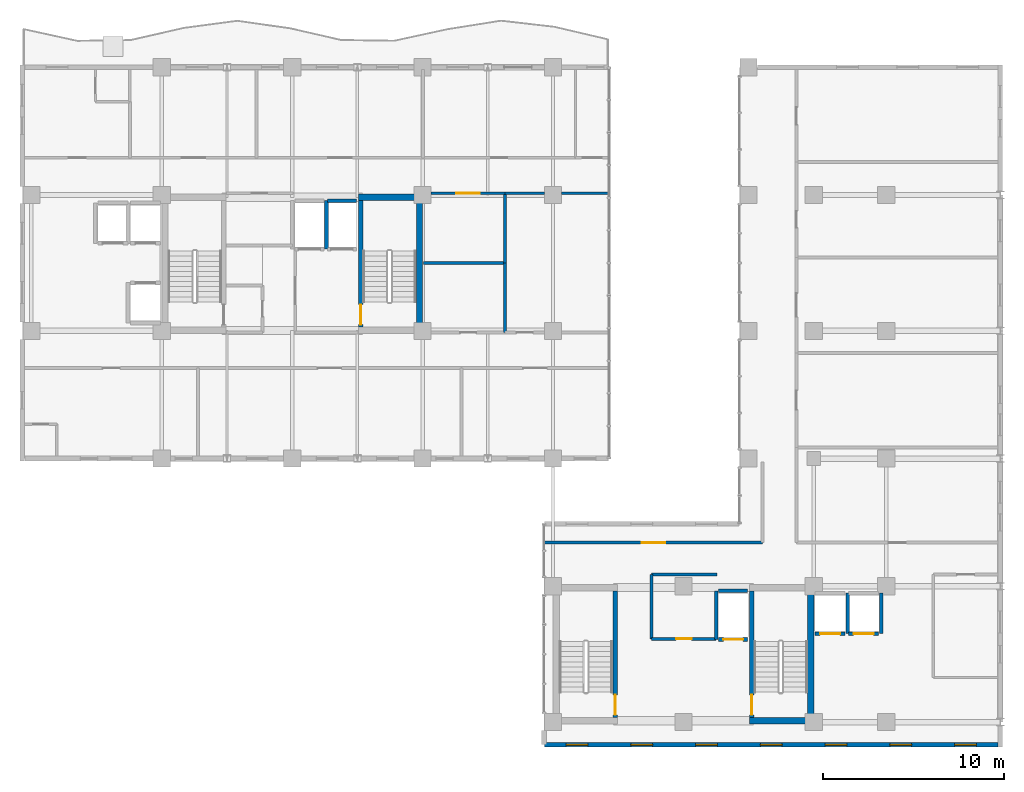
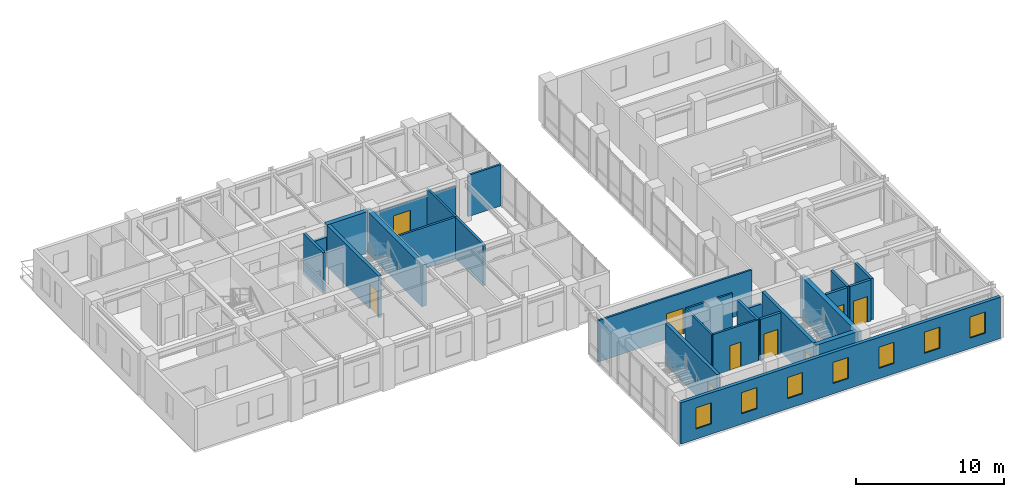
# One storey, part 18 of 24: 27 walls, 9 doors, 7 windows, 16 openings.
"""IFC4 building model written with IfcOpenShell, lengths in metres."""

from ifc_helpers import new_model, si_unit, direction, frame, frame_2d, origin, place, context, subcontext, project, spatial, rectangle, extrude, material, layer, layer_set, type_object, element, fill, save


model = new_model("IFC4")

# Units and contexts
model_context = context("Model", 3, precision=1e-05, world=origin(), true_north=direction((0.0, 1.0)))
body_context = subcontext(model_context, "Body", "Model", "MODEL_VIEW")
ifc_project = project(units=[si_unit("LENGTHUNIT", "METRE"), si_unit("AREAUNIT", "SQUARE_METRE"), si_unit("VOLUMEUNIT", "CUBIC_METRE"), si_unit("PLANEANGLEUNIT", "RADIAN"), si_unit("MASSUNIT", "GRAM", prefix="KILO")], contexts=[model_context])

# Site, building, storey
site_placement = place(None, origin())
site = spatial("IfcSite", under=ifc_project, at=site_placement, CompositionType="ELEMENT")
building_placement = place(site_placement, origin())
building = spatial("IfcBuilding", under=site, at=building_placement, Name="Kaliganga Portal Commons", CompositionType="ELEMENT")
storey_placement = place(building_placement, frame((0.0, 0.0, 238.800048828125)))
storey = spatial("IfcBuildingStorey", under=building, at=storey_placement, Name="L61", CompositionType="ELEMENT", Elevation=238.800048828125)

# Walls
ifc_material_1 = material(Name="Concrete C50/60", Category="concrete")
ifc_layer_1 = layer(ifc_material_1, 0.35009765625)
ifc_layer_set_1 = layer_set([ifc_layer_1], Name="Concrete C50/60")
wall_type_1 = type_object("IfcWallType", Name="WL-CORE-350", PredefinedType="SHEAR", material=ifc_layer_set_1)
wall_1_placement = place(storey_placement, frame((28.625, 28.5, 0.0), z_axis=(0.0, 0.0, 1.0), x_axis=(0.0, 1.0, 0.0)))
element("IfcWall", 1, at=wall_1_placement, inside=storey, type_object=wall_type_1, Name="Core A East Shear Wall L61", PredefinedType="SHEAR", context=body_context, shape_type="SweptSolid", body=[
    extrude(rectangle(XDim=7.699951171875, YDim=0.35009765625, at=frame_2d((3.85009765625, 0.0))), origin(), (0.0, 0.0, 1.0), 3.43994140625),
])
wall_2_placement = place(storey_placement, frame((25.25, 36.02490234375, 0.0), z_axis=(0.0, 0.0, 1.0), x_axis=(1.0, 0.0, 0.0)))
element("IfcWall", 2, at=wall_2_placement, inside=storey, type_object=wall_type_1, Name="Core A N-East Shear Wall L61", PredefinedType="SHEAR", context=body_context, shape_type="SweptSolid", body=[
    extrude(rectangle(XDim=3.199951171875, YDim=0.35009765625, at=frame_2d((1.60009765625, 0.0))), origin(), (0.0, 0.0, 1.0), 3.43994140625),
])
wall_3_placement = place(storey_placement, frame((50.22509765625, 6.949951171875, 0.0), z_axis=(0.0, 0.0, 1.0), x_axis=(0.0, 1.0, 0.0)))
element("IfcWall", 3, at=wall_3_placement, inside=storey, type_object=wall_type_1, Name="Core B East Shear Wall L61", PredefinedType="SHEAR", context=body_context, shape_type="SweptSolid", body=[
    extrude(rectangle(XDim=7.699951171875, YDim=0.35009765625, at=frame_2d((3.85009765625, 0.0))), origin(), (0.0, 0.0, 1.0), 3.43994140625),
])
wall_4_placement = place(storey_placement, frame((46.85009765625, 7.125, 0.0), z_axis=(0.0, 0.0, 1.0), x_axis=(1.0, 0.0, 0.0)))
element("IfcWall", 4, at=wall_4_placement, inside=storey, type_object=wall_type_1, Name="Core B S-East Shear Wall L61", PredefinedType="SHEAR", context=body_context, shape_type="SweptSolid", body=[
    extrude(rectangle(XDim=3.199951171875, YDim=0.35009765625, at=frame_2d((1.60009765625, 0.0))), origin(), (0.0, 0.0, 1.0), 3.43994140625),
])

# Wall, openings, windows
ifc_material_2 = material(Name="Insulated Aluminium-Clad Spandrel Assembly", Category="aluminium")
ifc_layer_2 = layer(ifc_material_2, 0.260009765625)
ifc_layer_set_2 = layer_set([ifc_layer_2], Name="Insulated Aluminium-Clad Spandrel Assembly")
wall_type_2 = type_object("IfcWallType", Name="WL-EXT-SPAND-260", PredefinedType="STANDARD", material=ifc_layer_set_2)
wall_5_placement = place(storey_placement, frame((60.56494140625, 5.800048828125, 0.0), z_axis=(0.0, 0.0, 1.0), x_axis=(-1.0, 0.0, 0.0)))
wall_5 = element("IfcWall", 5, at=wall_5_placement, inside=storey, type_object=wall_type_2, Name="Exterior Envelope Wall L61 P2-E00-S1", PredefinedType="STANDARD", context=body_context, shape_type="SweptSolid", body=[
    extrude(rectangle(XDim=25.02783203125, YDim=0.260009765625, at=frame_2d((12.513916015625, 0.0))), origin(), (0.0, 0.0, 1.0), 3.419921875),
])
opening_1_placement = place(wall_5_placement, frame((1.187744140625, 0.0, 0.85009765625)))
opening_1 = element("IfcOpeningElement", 6, at=opening_1_placement, cuts=wall_5, Name="Opening W-03", PredefinedType="OPENING", context=body_context, shape_type="SweptSolid", body=[
    extrude(rectangle(XDim=1.199951171875, YDim=1.75, at=frame_2d((0.60009765625, 0.875))), frame((0.0, 0.14013671875, 0.0), z_axis=(0.0, -1.0, 0.0), x_axis=(1.0, 0.0, 0.0)), (0.0, 0.0, 1.0), 0.280029296875),
])
opening_2_placement = place(wall_5_placement, frame((4.76318359375, 0.0, 0.85009765625)))
opening_2 = element("IfcOpeningElement", 7, at=opening_2_placement, cuts=wall_5, Name="Opening W-03", PredefinedType="OPENING", context=body_context, shape_type="SweptSolid", body=[
    extrude(rectangle(XDim=1.199951171875, YDim=1.75, at=frame_2d((0.60009765625, 0.875))), frame((0.0, 0.14013671875, 0.0), z_axis=(0.0, -1.0, 0.0), x_axis=(1.0, 0.0, 0.0)), (0.0, 0.0, 1.0), 0.280029296875),
])
opening_3_placement = place(wall_5_placement, frame((8.338623046875, 0.0, 0.85009765625)))
opening_3 = element("IfcOpeningElement", 8, at=opening_3_placement, cuts=wall_5, Name="Opening W-03", PredefinedType="OPENING", context=body_context, shape_type="SweptSolid", body=[
    extrude(rectangle(XDim=1.199951171875, YDim=1.75, at=frame_2d((0.60009765625, 0.875))), frame((0.0, 0.14013671875, 0.0), z_axis=(0.0, -1.0, 0.0), x_axis=(1.0, 0.0, 0.0)), (0.0, 0.0, 1.0), 0.280029296875),
])
opening_4_placement = place(wall_5_placement, frame((11.9140625, 0.0, 0.85009765625)))
opening_4 = element("IfcOpeningElement", 9, at=opening_4_placement, cuts=wall_5, Name="Opening W-03", PredefinedType="OPENING", context=body_context, shape_type="SweptSolid", body=[
    extrude(rectangle(XDim=1.199951171875, YDim=1.75, at=frame_2d((0.60009765625, 0.875))), frame((0.0, 0.14013671875, 0.0), z_axis=(0.0, -1.0, 0.0), x_axis=(1.0, 0.0, 0.0)), (0.0, 0.0, 1.0), 0.280029296875),
])
opening_5_placement = place(wall_5_placement, frame((15.489501953125, 0.0, 0.85009765625)))
opening_5 = element("IfcOpeningElement", 10, at=opening_5_placement, cuts=wall_5, Name="Opening W-03", PredefinedType="OPENING", context=body_context, shape_type="SweptSolid", body=[
    extrude(rectangle(XDim=1.199951171875, YDim=1.75, at=frame_2d((0.60009765625, 0.875))), frame((0.0, 0.14013671875, 0.0), z_axis=(0.0, -1.0, 0.0), x_axis=(1.0, 0.0, 0.0)), (0.0, 0.0, 1.0), 0.280029296875),
])
opening_6_placement = place(wall_5_placement, frame((19.06494140625, 0.0, 0.85009765625)))
opening_6 = element("IfcOpeningElement", 11, at=opening_6_placement, cuts=wall_5, Name="Opening W-03", PredefinedType="OPENING", context=body_context, shape_type="SweptSolid", body=[
    extrude(rectangle(XDim=1.199951171875, YDim=1.75, at=frame_2d((0.60009765625, 0.875))), frame((0.0, 0.14013671875, 0.0), z_axis=(0.0, -1.0, 0.0), x_axis=(1.0, 0.0, 0.0)), (0.0, 0.0, 1.0), 0.280029296875),
])
opening_7_placement = place(wall_5_placement, frame((22.640380859375, 0.0, 0.85009765625)))
opening_7 = element("IfcOpeningElement", 12, at=opening_7_placement, cuts=wall_5, Name="Opening W-03", PredefinedType="OPENING", context=body_context, shape_type="SweptSolid", body=[
    extrude(rectangle(XDim=1.199951171875, YDim=1.75, at=frame_2d((0.60009765625, 0.875))), frame((0.0, 0.14013671875, 0.0), z_axis=(0.0, -1.0, 0.0), x_axis=(1.0, 0.0, 0.0)), (0.0, 0.0, 1.0), 0.280029296875),
])
ifc_material_3 = material(Name="Thermally Broken Aluminium and Low-E Double Glazing", Category="aluminium")
window_type = type_object("IfcWindowType", Name="WIN-STD-1200", PartitioningType="SINGLE_PANEL", PredefinedType="WINDOW", material=ifc_material_3)
window_1_placement = place(opening_1_placement, origin())
window_1 = element("IfcWindow", 13, at=window_1_placement, inside=storey, type_object=window_type, Name="Facade Window L61-P2E00S1-00", OverallHeight=1.75, OverallWidth=1.199951171875, PartitioningType="SINGLE_PANEL", PredefinedType="WINDOW", context=body_context, shape_type="SweptSolid", body=[
    extrude(rectangle(XDim=1.199951171875, YDim=1.75, at=frame_2d((0.60009765625, 0.875))), frame((0.0, 0.030029296875, 0.0), z_axis=(0.0, -1.0, 0.0), x_axis=(1.0, 0.0, 0.0)), (0.0, 0.0, 1.0), 0.06005859375),
])
fill(opening_1, window_1)
window_2_placement = place(opening_2_placement, origin())
window_2 = element("IfcWindow", 14, at=window_2_placement, inside=storey, type_object=window_type, Name="Facade Window L61-P2E00S1-01", OverallHeight=1.75, OverallWidth=1.199951171875, PartitioningType="SINGLE_PANEL", PredefinedType="WINDOW", context=body_context, shape_type="SweptSolid", body=[
    extrude(rectangle(XDim=1.199951171875, YDim=1.75, at=frame_2d((0.60009765625, 0.875))), frame((0.0, 0.030029296875, 0.0), z_axis=(0.0, -1.0, 0.0), x_axis=(1.0, 0.0, 0.0)), (0.0, 0.0, 1.0), 0.06005859375),
])
fill(opening_2, window_2)
window_3_placement = place(opening_3_placement, origin())
window_3 = element("IfcWindow", 15, at=window_3_placement, inside=storey, type_object=window_type, Name="Facade Window L61-P2E00S1-02", OverallHeight=1.75, OverallWidth=1.199951171875, PartitioningType="SINGLE_PANEL", PredefinedType="WINDOW", context=body_context, shape_type="SweptSolid", body=[
    extrude(rectangle(XDim=1.199951171875, YDim=1.75, at=frame_2d((0.60009765625, 0.875))), frame((0.0, 0.030029296875, 0.0), z_axis=(0.0, -1.0, 0.0), x_axis=(1.0, 0.0, 0.0)), (0.0, 0.0, 1.0), 0.06005859375),
])
fill(opening_3, window_3)
window_4_placement = place(opening_4_placement, origin())
window_4 = element("IfcWindow", 16, at=window_4_placement, inside=storey, type_object=window_type, Name="Facade Window L61-P2E00S1-03", OverallHeight=1.75, OverallWidth=1.199951171875, PartitioningType="SINGLE_PANEL", PredefinedType="WINDOW", context=body_context, shape_type="SweptSolid", body=[
    extrude(rectangle(XDim=1.199951171875, YDim=1.75, at=frame_2d((0.60009765625, 0.875))), frame((0.0, 0.030029296875, 0.0), z_axis=(0.0, -1.0, 0.0), x_axis=(1.0, 0.0, 0.0)), (0.0, 0.0, 1.0), 0.06005859375),
])
fill(opening_4, window_4)
window_5_placement = place(opening_5_placement, origin())
window_5 = element("IfcWindow", 17, at=window_5_placement, inside=storey, type_object=window_type, Name="Facade Window L61-P2E00S1-04", OverallHeight=1.75, OverallWidth=1.199951171875, PartitioningType="SINGLE_PANEL", PredefinedType="WINDOW", context=body_context, shape_type="SweptSolid", body=[
    extrude(rectangle(XDim=1.199951171875, YDim=1.75, at=frame_2d((0.60009765625, 0.875))), frame((0.0, 0.030029296875, 0.0), z_axis=(0.0, -1.0, 0.0), x_axis=(1.0, 0.0, 0.0)), (0.0, 0.0, 1.0), 0.06005859375),
])
fill(opening_5, window_5)
window_6_placement = place(opening_6_placement, origin())
window_6 = element("IfcWindow", 18, at=window_6_placement, inside=storey, type_object=window_type, Name="Facade Window L61-P2E00S1-05", OverallHeight=1.75, OverallWidth=1.199951171875, PartitioningType="SINGLE_PANEL", PredefinedType="WINDOW", context=body_context, shape_type="SweptSolid", body=[
    extrude(rectangle(XDim=1.199951171875, YDim=1.75, at=frame_2d((0.60009765625, 0.875))), frame((0.0, 0.030029296875, 0.0), z_axis=(0.0, -1.0, 0.0), x_axis=(1.0, 0.0, 0.0)), (0.0, 0.0, 1.0), 0.06005859375),
])
fill(opening_6, window_6)
window_7_placement = place(opening_7_placement, origin())
window_7 = element("IfcWindow", 19, at=window_7_placement, inside=storey, type_object=window_type, Name="Facade Window L61-P2E00S1-06", OverallHeight=1.75, OverallWidth=1.199951171875, PartitioningType="SINGLE_PANEL", PredefinedType="WINDOW", context=body_context, shape_type="SweptSolid", body=[
    extrude(rectangle(XDim=1.199951171875, YDim=1.75, at=frame_2d((0.60009765625, 0.875))), frame((0.0, 0.030029296875, 0.0), z_axis=(0.0, -1.0, 0.0), x_axis=(1.0, 0.0, 0.0)), (0.0, 0.0, 1.0), 0.06005859375),
])
fill(opening_7, window_7)

# Wall, opening, door
ifc_material_4 = material(Name="Fire-Rated Gypsum Board on Steel Stud", Category="steel")
ifc_layer_3 = layer(ifc_material_4, 0.14990234375)
ifc_layer_set_3 = layer_set([ifc_layer_3], Name="Fire-Rated Gypsum Board on Steel Stud")
wall_type_3 = type_object("IfcWallType", Name="WL-PART-CORR-150", PredefinedType="PARTITIONING", material=ifc_layer_set_3)
wall_6_placement = place(storey_placement, frame((35.52001953125, 16.9599609375, 0.0), z_axis=(0.0, 0.0, 1.0), x_axis=(1.0, 0.0, 0.0)))
wall_6 = element("IfcWall", 20, at=wall_6_placement, inside=storey, type_object=wall_type_3, Name="Interior Partition L61-007", PredefinedType="PARTITIONING", context=body_context, shape_type="SweptSolid", body=[
    extrude(rectangle(XDim=12.0400390625, YDim=0.14990234375, at=frame_2d((6.02001953125, 0.0))), origin(), (0.0, 0.0, 1.0), 3.419921875),
])
opening_8_placement = place(wall_6_placement, frame((5.3701171875, 0.0, 0.0)))
opening_8 = element("IfcOpeningElement", 21, at=opening_8_placement, cuts=wall_6, Name="Opening RD-03", PredefinedType="OPENING", context=body_context, shape_type="SweptSolid", body=[
    extrude(rectangle(XDim=1.300048828125, YDim=2.1201171875, at=frame_2d((0.64990234375, 1.06005859375))), frame((0.0, 0.0849609375, 0.0), z_axis=(0.0, -1.0, 0.0), x_axis=(1.0, 0.0, 0.0)), (0.0, 0.0, 1.0), 0.169921875),
])
ifc_material_5 = material(Name="Glazed Timber Seminar Vision Door", Category="wood")
door_type_1 = type_object("IfcDoorType", Name="DR-STUDY-1300", OperationType="DOUBLE_DOOR_SINGLE_SWING", PredefinedType="DOOR", material=ifc_material_5)
door_1_placement = place(opening_8_placement, origin())
door_1 = element("IfcDoor", 22, at=door_1_placement, inside=storey, type_object=door_type_1, Name="Interior Door L61-BPW01", OperationType="DOUBLE_DOOR_SINGLE_SWING", OverallHeight=2.1201171875, OverallWidth=1.300048828125, PredefinedType="DOOR", context=body_context, shape_type="SweptSolid", body=[
    extrude(rectangle(XDim=1.300048828125, YDim=2.1201171875, at=frame_2d((0.64990234375, 1.06005859375))), frame((0.0, 0.02490234375, 0.0), z_axis=(0.0, -1.0, 0.0), x_axis=(1.0, 0.0, 0.0)), (0.0, 0.0, 1.0), 0.050048828125),
])
fill(opening_8, door_1)

# Walls
wall_7_placement = place(storey_placement, frame((33.360107421875, 36.239990234375, 0.0), z_axis=(0.0, 0.0, 1.0), x_axis=(1.0, 0.0, 0.0)))
element("IfcWall", 23, at=wall_7_placement, inside=storey, type_object=wall_type_3, Name="Interior Partition L61-017", PredefinedType="PARTITIONING", context=body_context, shape_type="SweptSolid", body=[
    extrude(rectangle(XDim=2.164794921875, YDim=0.14990234375, at=frame_2d((1.08251953125, 0.0))), origin(), (0.0, 0.0, 1.0), 2.869873046875),
])
wall_8_placement = place(storey_placement, frame((36.47509765625, 36.239990234375, 0.0), z_axis=(0.0, 0.0, 1.0), x_axis=(1.0, 0.0, 0.0)))
element("IfcWall", 24, at=wall_8_placement, inside=storey, type_object=wall_type_3, Name="Interior Partition L61-018", PredefinedType="PARTITIONING", context=body_context, shape_type="SweptSolid", body=[
    extrude(rectangle(XDim=2.60498046875, YDim=0.14990234375, at=frame_2d((1.302490234375, 0.0))), origin(), (0.0, 0.0, 1.0), 3.419921875),
])

# Wall, opening, door
wall_9_placement = place(storey_placement, frame((29.27490234375, 36.239990234375, 0.0), z_axis=(0.0, 0.0, 1.0), x_axis=(1.0, 0.0, 0.0)))
wall_9 = element("IfcWall", 25, at=wall_9_placement, inside=storey, type_object=wall_type_3, Name="Interior Partition L61-025", PredefinedType="PARTITIONING", context=body_context, shape_type="SweptSolid", body=[
    extrude(rectangle(XDim=4.085205078125, YDim=0.14990234375, at=frame_2d((2.04248046875, 0.0))), origin(), (0.0, 0.0, 1.0), 2.869873046875),
])
opening_9_placement = place(wall_9_placement, frame((1.392578125, 0.0, 0.0)))
opening_9 = element("IfcOpeningElement", 26, at=opening_9_placement, cuts=wall_9, Name="Opening RD-03", PredefinedType="OPENING", context=body_context, shape_type="SweptSolid", body=[
    extrude(rectangle(XDim=1.300048828125, YDim=2.1201171875, at=frame_2d((0.64990234375, 1.06005859375))), frame((0.0, 0.0849609375, 0.0), z_axis=(0.0, -1.0, 0.0), x_axis=(1.0, 0.0, 0.0)), (0.0, 0.0, 1.0), 0.169921875),
])
door_2_placement = place(opening_9_placement, origin())
door_2 = element("IfcDoor", 27, at=door_2_placement, inside=storey, type_object=door_type_1, Name="Interior Door L61-CSRV_A2", OperationType="DOUBLE_DOOR_SINGLE_SWING", OverallHeight=2.1201171875, OverallWidth=1.300048828125, PredefinedType="DOOR", context=body_context, shape_type="SweptSolid", body=[
    extrude(rectangle(XDim=1.300048828125, YDim=2.1201171875, at=frame_2d((0.64990234375, 1.06005859375))), frame((0.0, 0.02490234375, 0.0), z_axis=(0.0, -1.0, 0.0), x_axis=(1.0, 0.0, 0.0)), (0.0, 0.0, 1.0), 0.050048828125),
])
fill(opening_9, door_2)

wall_10_placement = place(storey_placement, frame((41.43994140625, 11.639892578125, 0.0), z_axis=(0.0, 0.0, 1.0), x_axis=(1.0, 0.0, 0.0)))
wall_10 = element("IfcWall", 28, at=wall_10_placement, inside=storey, type_object=wall_type_3, Name="Interior Partition L61-029", PredefinedType="PARTITIONING", context=body_context, shape_type="SweptSolid", body=[
    extrude(rectangle(XDim=3.570068359375, YDim=0.14990234375, at=frame_2d((1.78515625, 0.0))), origin(), (0.0, 0.0, 1.0), 3.419921875),
])
opening_10_placement = place(wall_10_placement, frame((1.360107421875, 0.0, 0.0)))
opening_10 = element("IfcOpeningElement", 29, at=opening_10_placement, cuts=wall_10, Name="Opening WD-01", PredefinedType="OPENING", context=body_context, shape_type="SweptSolid", body=[
    extrude(rectangle(XDim=0.85009765625, YDim=2.0400390625, at=frame_2d((0.425048828125, 1.02001953125))), frame((0.0, 0.0849609375, 0.0), z_axis=(0.0, -1.0, 0.0), x_axis=(1.0, 0.0, 0.0)), (0.0, 0.0, 1.0), 0.169921875),
])
ifc_material_6 = material(Name="Moisture-Resistant Laminate Timber Door", Category="wood")
door_type_2 = type_object("IfcDoorType", Name="DR-WET-850", OperationType="NOTDEFINED", PredefinedType="DOOR", material=ifc_material_6)
door_3_placement = place(opening_10_placement, origin())
door_3 = element("IfcDoor", 30, at=door_3_placement, inside=storey, type_object=door_type_2, Name="Interior Door L61-CREC_B1", OperationType="SINGLE_SWING_LEFT", OverallHeight=2.0400390625, OverallWidth=0.85009765625, PredefinedType="DOOR", context=body_context, shape_type="SweptSolid", body=[
    extrude(rectangle(XDim=0.85009765625, YDim=2.0400390625, at=frame_2d((0.425048828125, 1.02001953125))), frame((0.0, 0.02490234375, 0.0), z_axis=(0.0, -1.0, 0.0), x_axis=(1.0, 0.0, 0.0)), (0.0, 0.0, 1.0), 0.050048828125),
])
fill(opening_10, door_3)

# Walls
wall_11_placement = place(storey_placement, frame((41.43994140625, 15.199951171875, 0.0), z_axis=(0.0, 0.0, 1.0), x_axis=(1.0, 0.0, 0.0)))
element("IfcWall", 31, at=wall_11_placement, inside=storey, type_object=wall_type_3, Name="Interior Partition L61-030", PredefinedType="PARTITIONING", context=body_context, shape_type="SweptSolid", body=[
    extrude(rectangle(XDim=3.60009765625, YDim=0.14990234375, at=frame_2d((1.800048828125, 0.0))), origin(), (0.0, 0.0, 1.0), 3.419921875),
])
wall_12_placement = place(storey_placement, frame((41.43994140625, 11.639892578125, 0.0), z_axis=(0.0, 0.0, 1.0), x_axis=(0.0, 1.0, 0.0)))
element("IfcWall", 32, at=wall_12_placement, inside=storey, type_object=wall_type_3, Name="Interior Partition L61-031", PredefinedType="PARTITIONING", context=body_context, shape_type="SweptSolid", body=[
    extrude(rectangle(XDim=3.56005859375, YDim=0.14990234375, at=frame_2d((1.780029296875, 0.0))), origin(), (0.0, 0.0, 1.0), 3.419921875),
])
ifc_material_7 = material(Name="Twin-Stud Acoustic Gypsum Partition", Category="gypsum")
ifc_layer_4 = layer(ifc_material_7, 0.1650390625)
ifc_layer_set_4 = layer_set([ifc_layer_4], Name="Twin-Stud Acoustic Gypsum Partition")
wall_type_4 = type_object("IfcWallType", Name="WL-PART-UNIT-165", PredefinedType="PARTITIONING", material=ifc_layer_set_4)
wall_13_placement = place(storey_placement, frame((28.840087890625, 32.39990234375, 0.0), z_axis=(0.0, 0.0, 1.0), x_axis=(1.0, 0.0, 0.0)))
element("IfcWall", 33, at=wall_13_placement, inside=storey, type_object=wall_type_4, Name="Interior Partition L61-050", PredefinedType="PARTITIONING", context=body_context, shape_type="SweptSolid", body=[
    extrude(rectangle(XDim=4.52001953125, YDim=0.1650390625, at=frame_2d((2.260009765625, 0.0))), origin(), (0.0, 0.0, 1.0), 3.419921875),
])
wall_14_placement = place(storey_placement, frame((33.360107421875, 32.39990234375, 0.0), z_axis=(0.0, 0.0, 1.0), x_axis=(0.0, 1.0, 0.0)))
element("IfcWall", 34, at=wall_14_placement, inside=storey, type_object=wall_type_4, Name="Interior Partition L61-051", PredefinedType="PARTITIONING", context=body_context, shape_type="SweptSolid", body=[
    extrude(rectangle(XDim=3.840087890625, YDim=0.1650390625, at=frame_2d((1.919921875, 0.0))), origin(), (0.0, 0.0, 1.0), 3.419921875),
])
wall_15_placement = place(storey_placement, frame((33.360107421875, 28.56005859375, 0.0), z_axis=(0.0, 0.0, 1.0), x_axis=(0.0, 1.0, 0.0)))
element("IfcWall", 35, at=wall_15_placement, inside=storey, type_object=wall_type_4, Name="Interior Partition L61-052", PredefinedType="PARTITIONING", context=body_context, shape_type="SweptSolid", body=[
    extrude(rectangle(XDim=3.83984375, YDim=0.1650390625, at=frame_2d((1.919921875, 0.0))), origin(), (0.0, 0.0, 1.0), 3.419921875),
])
ifc_material_8 = material(Name="Fire-Rated Shaftwall Masonry Assembly", Category="masonry")
ifc_layer_5 = layer(ifc_material_8, 0.199951171875)
ifc_layer_set_5 = layer_set([ifc_layer_5], Name="Fire-Rated Shaftwall Masonry Assembly")
wall_type_5 = type_object("IfcWallType", Name="WL-SHAFT-200", PredefinedType="PARTITIONING", material=ifc_layer_set_5)
wall_16_placement = place(storey_placement, frame((23.489990234375, 33.159912109375, 0.0), z_axis=(0.0, 0.0, 1.0), x_axis=(0.0, 1.0, 0.0)))
element("IfcWall", 36, at=wall_16_placement, inside=storey, type_object=wall_type_5, Name="Lift FFL-1 Hoistway Shaft Wall L61-E", PredefinedType="PARTITIONING", context=body_context, shape_type="SweptSolid", body=[
    extrude(rectangle(XDim=2.68017578125, YDim=0.199951171875, at=frame_2d((1.340087890625, 0.0))), origin(), (0.0, 0.0, 1.0), 3.419921875),
])
wall_17_placement = place(storey_placement, frame((23.550048828125, 35.840087890625, 0.0), z_axis=(0.0, 0.0, 1.0), x_axis=(1.0, 0.0, 0.0)))
element("IfcWall", 37, at=wall_17_placement, inside=storey, type_object=wall_type_5, Name="Lift FFL-2 Hoistway Shaft Wall L61-N", PredefinedType="PARTITIONING", context=body_context, shape_type="SweptSolid", body=[
    extrude(rectangle(XDim=1.599853515625, YDim=0.199951171875, at=frame_2d((0.7998046875, 0.0))), origin(), (0.0, 0.0, 1.0), 2.52001953125),
])

# Wall, opening, door
wall_18_placement = place(storey_placement, frame((50.47509765625, 11.93505859375, 0.0), z_axis=(0.0, 0.0, 1.0), x_axis=(1.0, 0.0, 0.0)))
wall_18 = element("IfcWall", 38, at=wall_18_placement, inside=storey, type_object=wall_type_5, Name="Lift PL-B3 Hoistway Shaft Wall L61-S", PredefinedType="PARTITIONING", context=body_context, shape_type="SweptSolid", body=[
    extrude(rectangle(XDim=1.64990234375, YDim=0.199951171875, at=frame_2d((0.824951171875, 0.0))), origin(), (0.0, 0.0, 1.0), 3.419921875),
])
opening_11_placement = place(wall_18_placement, frame((0.27490234375, 0.0, 0.0)))
opening_11 = element("IfcOpeningElement", 39, at=opening_11_placement, cuts=wall_18, Name="Opening LD-01", PredefinedType="OPENING", context=body_context, shape_type="SweptSolid", body=[
    extrude(rectangle(XDim=1.10009765625, YDim=2.1201171875, at=frame_2d((0.550048828125, 1.06005859375))), frame((0.0, 0.10986328125, 0.0), z_axis=(0.0, -1.0, 0.0), x_axis=(1.0, 0.0, 0.0)), (0.0, 0.0, 1.0), 0.219970703125),
])
ifc_material_9 = material(Name="Brushed Stainless Steel 316 Lift Landing Door", Category="steel")
door_type_3 = type_object("IfcDoorType", Name="DR-LIFT-1100", OperationType="SLIDING_TO_LEFT", PredefinedType="DOOR", material=ifc_material_9)
door_4_placement = place(opening_11_placement, origin())
door_4 = element("IfcDoor", 40, at=door_4_placement, inside=storey, type_object=door_type_3, Name="Lift PL-B3 Sliding Landing Door L61", OperationType="SLIDING_TO_LEFT", OverallHeight=2.1201171875, OverallWidth=1.10009765625, PredefinedType="DOOR", context=body_context, shape_type="SweptSolid", body=[
    extrude(rectangle(XDim=1.10009765625, YDim=2.1201171875, at=frame_2d((0.550048828125, 1.06005859375))), frame((0.0, 0.02490234375, 0.0), z_axis=(0.0, -1.0, 0.0), x_axis=(1.0, 0.0, 0.0)), (0.0, 0.0, 1.0), 0.050048828125),
])
fill(opening_11, door_4)

# Wall
wall_19_placement = place(storey_placement, frame((52.264892578125, 11.93505859375, 0.0), z_axis=(0.0, 0.0, 1.0), x_axis=(0.0, 1.0, 0.0)))
element("IfcWall", 41, at=wall_19_placement, inside=storey, type_object=wall_type_5, Name="Lift PL-B3 Hoistway Shaft Wall L61-E", PredefinedType="PARTITIONING", context=body_context, shape_type="SweptSolid", body=[
    extrude(rectangle(XDim=2.22998046875, YDim=0.199951171875, at=frame_2d((1.114990234375, 0.0))), origin(), (0.0, 0.0, 1.0), 3.419921875),
])

# Wall, opening, door
wall_20_placement = place(storey_placement, frame((52.324951171875, 11.93505859375, 0.0), z_axis=(0.0, 0.0, 1.0), x_axis=(1.0, 0.0, 0.0)))
wall_20 = element("IfcWall", 42, at=wall_20_placement, inside=storey, type_object=wall_type_5, Name="Lift PL-B4 Hoistway Shaft Wall L61-S", PredefinedType="PARTITIONING", context=body_context, shape_type="SweptSolid", body=[
    extrude(rectangle(XDim=1.650146484375, YDim=0.199951171875, at=frame_2d((0.8251953125, 0.0))), origin(), (0.0, 0.0, 1.0), 3.419921875),
])
opening_12_placement = place(wall_20_placement, frame((0.27490234375, 0.0, 0.0)))
opening_12 = element("IfcOpeningElement", 43, at=opening_12_placement, cuts=wall_20, Name="Opening LD-01", PredefinedType="OPENING", context=body_context, shape_type="SweptSolid", body=[
    extrude(rectangle(XDim=1.10009765625, YDim=2.1201171875, at=frame_2d((0.550048828125, 1.06005859375))), frame((0.0, 0.10986328125, 0.0), z_axis=(0.0, -1.0, 0.0), x_axis=(1.0, 0.0, 0.0)), (0.0, 0.0, 1.0), 0.219970703125),
])
door_5_placement = place(opening_12_placement, origin())
door_5 = element("IfcDoor", 44, at=door_5_placement, inside=storey, type_object=door_type_3, Name="Lift PL-B4 Sliding Landing Door L61", OperationType="SLIDING_TO_LEFT", OverallHeight=2.1201171875, OverallWidth=1.10009765625, PredefinedType="DOOR", context=body_context, shape_type="SweptSolid", body=[
    extrude(rectangle(XDim=1.10009765625, YDim=2.1201171875, at=frame_2d((0.550048828125, 1.06005859375))), frame((0.0, 0.02490234375, 0.0), z_axis=(0.0, -1.0, 0.0), x_axis=(1.0, 0.0, 0.0)), (0.0, 0.0, 1.0), 0.050048828125),
])
fill(opening_12, door_5)

# Wall
wall_21_placement = place(storey_placement, frame((54.114990234375, 11.93505859375, 0.0), z_axis=(0.0, 0.0, 1.0), x_axis=(0.0, 1.0, 0.0)))
element("IfcWall", 45, at=wall_21_placement, inside=storey, type_object=wall_type_5, Name="Lift PL-B4 Hoistway Shaft Wall L61-E", PredefinedType="PARTITIONING", context=body_context, shape_type="SweptSolid", body=[
    extrude(rectangle(XDim=2.22998046875, YDim=0.199951171875, at=frame_2d((1.114990234375, 0.0))), origin(), (0.0, 0.0, 1.0), 3.419921875),
])

# Wall, opening, door
wall_22_placement = place(storey_placement, frame((45.14990234375, 11.610107421875, 0.0), z_axis=(0.0, 0.0, 1.0), x_axis=(1.0, 0.0, 0.0)))
wall_22 = element("IfcWall", 46, at=wall_22_placement, inside=storey, type_object=wall_type_5, Name="Lift SL-B1 Hoistway Shaft Wall L61-S", PredefinedType="PARTITIONING", context=body_context, shape_type="SweptSolid", body=[
    extrude(rectangle(XDim=1.60009765625, YDim=0.199951171875, at=frame_2d((0.800048828125, 0.0))), origin(), (0.0, 0.0, 1.0), 3.419921875),
])
opening_13_placement = place(wall_22_placement, frame((0.25, 0.0, 0.0)))
opening_13 = element("IfcOpeningElement", 47, at=opening_13_placement, cuts=wall_22, Name="Opening LD-01", PredefinedType="OPENING", context=body_context, shape_type="SweptSolid", body=[
    extrude(rectangle(XDim=1.10009765625, YDim=2.1201171875, at=frame_2d((0.550048828125, 1.06005859375))), frame((0.0, 0.10986328125, 0.0), z_axis=(0.0, -1.0, 0.0), x_axis=(1.0, 0.0, 0.0)), (0.0, 0.0, 1.0), 0.219970703125),
])
door_6_placement = place(opening_13_placement, origin())
door_6 = element("IfcDoor", 48, at=door_6_placement, inside=storey, type_object=door_type_3, Name="Lift SL-B1 Sliding Landing Door L61", OperationType="SLIDING_TO_LEFT", OverallHeight=2.1201171875, OverallWidth=1.10009765625, PredefinedType="DOOR", context=body_context, shape_type="SweptSolid", body=[
    extrude(rectangle(XDim=1.10009765625, YDim=2.1201171875, at=frame_2d((0.550048828125, 1.06005859375))), frame((0.0, 0.02490234375, 0.0), z_axis=(0.0, -1.0, 0.0), x_axis=(1.0, 0.0, 0.0)), (0.0, 0.0, 1.0), 0.050048828125),
])
fill(opening_13, door_6)

# Walls
wall_23_placement = place(storey_placement, frame((45.14990234375, 14.2900390625, 0.0), z_axis=(0.0, 0.0, 1.0), x_axis=(1.0, 0.0, 0.0)))
element("IfcWall", 49, at=wall_23_placement, inside=storey, type_object=wall_type_5, Name="Lift SL-B1 Hoistway Shaft Wall L61-N", PredefinedType="PARTITIONING", context=body_context, shape_type="SweptSolid", body=[
    extrude(rectangle(XDim=1.60009765625, YDim=0.199951171875, at=frame_2d((0.800048828125, 0.0))), origin(), (0.0, 0.0, 1.0), 2.52001953125),
])
wall_24_placement = place(storey_placement, frame((45.010009765625, 11.610107421875, 0.0), z_axis=(0.0, 0.0, 1.0), x_axis=(0.0, 1.0, 0.0)))
element("IfcWall", 50, at=wall_24_placement, inside=storey, type_object=wall_type_5, Name="Lift SL-B1 Hoistway Shaft Wall L61-W", PredefinedType="PARTITIONING", context=body_context, shape_type="SweptSolid", body=[
    extrude(rectangle(XDim=2.679931640625, YDim=0.199951171875, at=frame_2d((1.33984375, 0.0))), origin(), (0.0, 0.0, 1.0), 3.419921875),
])

# Wall, opening, door
ifc_layer_6 = layer(ifc_material_1, 0.25)
ifc_layer_set_6 = layer_set([ifc_layer_6], Name="Concrete C50/60")
wall_type_6 = type_object("IfcWallType", Name="WL-STAIR-250", PredefinedType="SHEAR", material=ifc_layer_set_6)
wall_25_placement = place(storey_placement, frame((25.375, 28.85009765625, 0.0), z_axis=(0.0, 0.0, 1.0), x_axis=(0.0, 1.0, 0.0)))
wall_25 = element("IfcWall", 51, at=wall_25_placement, inside=storey, type_object=wall_type_6, Name="Stair A2 Enclosure Shear Wall L61", PredefinedType="SHEAR", context=body_context, shape_type="SweptSolid", body=[
    extrude(rectangle(XDim=7.0, YDim=0.25, at=frame_2d((3.5, 0.0))), origin(), (0.0, 0.0, 1.0), 3.43994140625),
])
opening_14_placement = place(wall_25_placement, frame((0.14990234375, 0.0, 0.0)))
opening_14 = element("IfcOpeningElement", 52, at=opening_14_placement, cuts=wall_25, Name="Opening SD-01", PredefinedType="OPENING", context=body_context, shape_type="SweptSolid", body=[
    extrude(rectangle(XDim=1.10009765625, YDim=2.080078125, at=frame_2d((0.550048828125, 1.0400390625))), frame((0.0, 0.135009765625, 0.0), z_axis=(0.0, -1.0, 0.0), x_axis=(1.0, 0.0, 0.0)), (0.0, 0.0, 1.0), 0.27001953125),
])
ifc_material_10 = material(Name="Galvanized Steel Fire Door Leaf and Frame", Category="steel")
door_type_4 = type_object("IfcDoorType", Name="DR-STAIR-1100", OperationType="NOTDEFINED", PredefinedType="DOOR", material=ifc_material_10)
door_7_placement = place(opening_14_placement, origin())
door_7 = element("IfcDoor", 53, at=door_7_placement, inside=storey, type_object=door_type_4, Name="Protected Stair ST-A2 Fire Door L61", OperationType="SINGLE_SWING_RIGHT", OverallHeight=2.080078125, OverallWidth=1.10009765625, PredefinedType="DOOR", context=body_context, shape_type="SweptSolid", body=[
    extrude(rectangle(XDim=1.10009765625, YDim=2.080078125, at=frame_2d((0.550048828125, 1.0400390625))), frame((0.0, 0.02490234375, 0.0), z_axis=(0.0, -1.0, 0.0), x_axis=(1.0, 0.0, 0.0)), (0.0, 0.0, 1.0), 0.050048828125),
])
fill(opening_14, door_7)

wall_26_placement = place(storey_placement, frame((39.425048828125, 7.300048828125, 0.0), z_axis=(0.0, 0.0, 1.0), x_axis=(0.0, 1.0, 0.0)))
wall_26 = element("IfcWall", 54, at=wall_26_placement, inside=storey, type_object=wall_type_6, Name="Stair B1 Enclosure Shear Wall L61", PredefinedType="SHEAR", context=body_context, shape_type="SweptSolid", body=[
    extrude(rectangle(XDim=7.0, YDim=0.25, at=frame_2d((3.5, 0.0))), origin(), (0.0, 0.0, 1.0), 3.43994140625),
])
opening_15_placement = place(wall_26_placement, frame((0.14990234375, 0.0, 0.0)))
opening_15 = element("IfcOpeningElement", 55, at=opening_15_placement, cuts=wall_26, Name="Opening SD-01", PredefinedType="OPENING", context=body_context, shape_type="SweptSolid", body=[
    extrude(rectangle(XDim=1.10009765625, YDim=2.080078125, at=frame_2d((0.550048828125, 1.0400390625))), frame((0.0, 0.135009765625, 0.0), z_axis=(0.0, -1.0, 0.0), x_axis=(1.0, 0.0, 0.0)), (0.0, 0.0, 1.0), 0.27001953125),
])
door_8_placement = place(opening_15_placement, origin())
door_8 = element("IfcDoor", 56, at=door_8_placement, inside=storey, type_object=door_type_4, Name="Protected Stair ST-B1 Fire Door L61", OperationType="SINGLE_SWING_LEFT", OverallHeight=2.080078125, OverallWidth=1.10009765625, PredefinedType="DOOR", context=body_context, shape_type="SweptSolid", body=[
    extrude(rectangle(XDim=1.10009765625, YDim=2.080078125, at=frame_2d((0.550048828125, 1.0400390625))), frame((0.0, 0.02490234375, 0.0), z_axis=(0.0, -1.0, 0.0), x_axis=(1.0, 0.0, 0.0)), (0.0, 0.0, 1.0), 0.050048828125),
])
fill(opening_15, door_8)

wall_27_placement = place(storey_placement, frame((46.97509765625, 7.300048828125, 0.0), z_axis=(0.0, 0.0, 1.0), x_axis=(0.0, 1.0, 0.0)))
wall_27 = element("IfcWall", 57, at=wall_27_placement, inside=storey, type_object=wall_type_6, Name="Stair B2 Enclosure Shear Wall L61", PredefinedType="SHEAR", context=body_context, shape_type="SweptSolid", body=[
    extrude(rectangle(XDim=7.0, YDim=0.25, at=frame_2d((3.5, 0.0))), origin(), (0.0, 0.0, 1.0), 3.43994140625),
])
opening_16_placement = place(wall_27_placement, frame((0.14990234375, 0.0, 0.0)))
opening_16 = element("IfcOpeningElement", 58, at=opening_16_placement, cuts=wall_27, Name="Opening SD-01", PredefinedType="OPENING", context=body_context, shape_type="SweptSolid", body=[
    extrude(rectangle(XDim=1.10009765625, YDim=2.080078125, at=frame_2d((0.550048828125, 1.0400390625))), frame((0.0, 0.135009765625, 0.0), z_axis=(0.0, -1.0, 0.0), x_axis=(1.0, 0.0, 0.0)), (0.0, 0.0, 1.0), 0.27001953125),
])
door_9_placement = place(opening_16_placement, origin())
door_9 = element("IfcDoor", 59, at=door_9_placement, inside=storey, type_object=door_type_4, Name="Protected Stair ST-B2 Fire Door L61", OperationType="SINGLE_SWING_RIGHT", OverallHeight=2.080078125, OverallWidth=1.10009765625, PredefinedType="DOOR", context=body_context, shape_type="SweptSolid", body=[
    extrude(rectangle(XDim=1.10009765625, YDim=2.080078125, at=frame_2d((0.550048828125, 1.0400390625))), frame((0.0, 0.02490234375, 0.0), z_axis=(0.0, -1.0, 0.0), x_axis=(1.0, 0.0, 0.0)), (0.0, 0.0, 1.0), 0.050048828125),
])
fill(opening_16, door_9)

save(model, "model.ifc")
